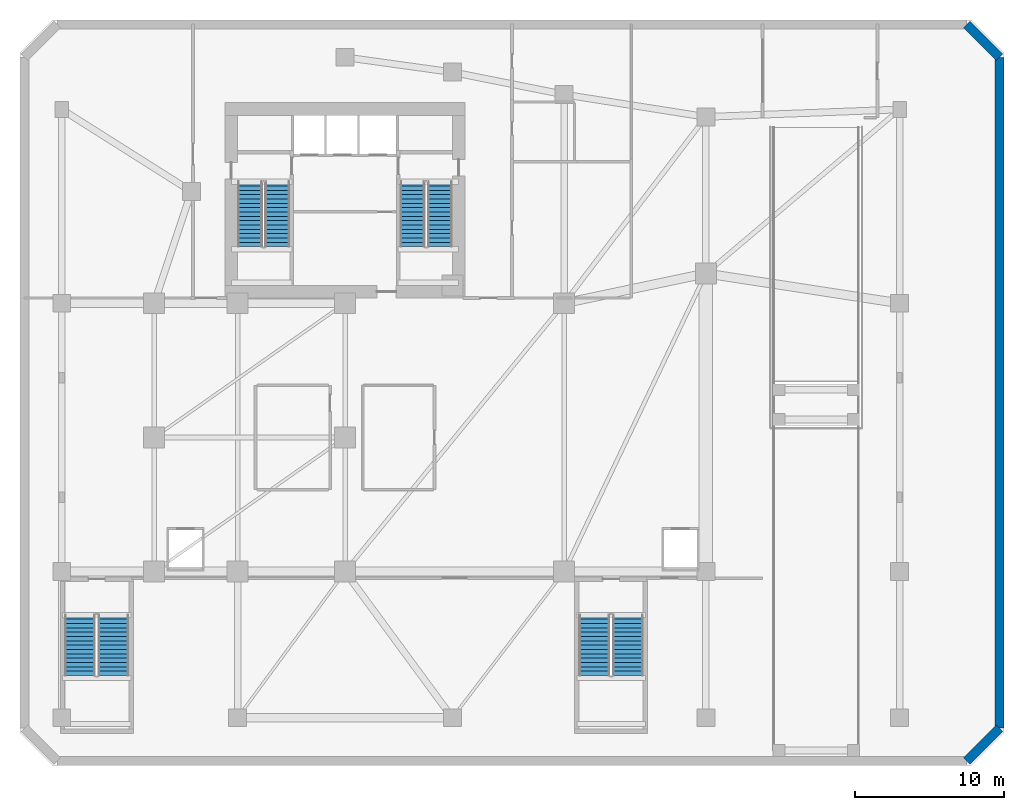
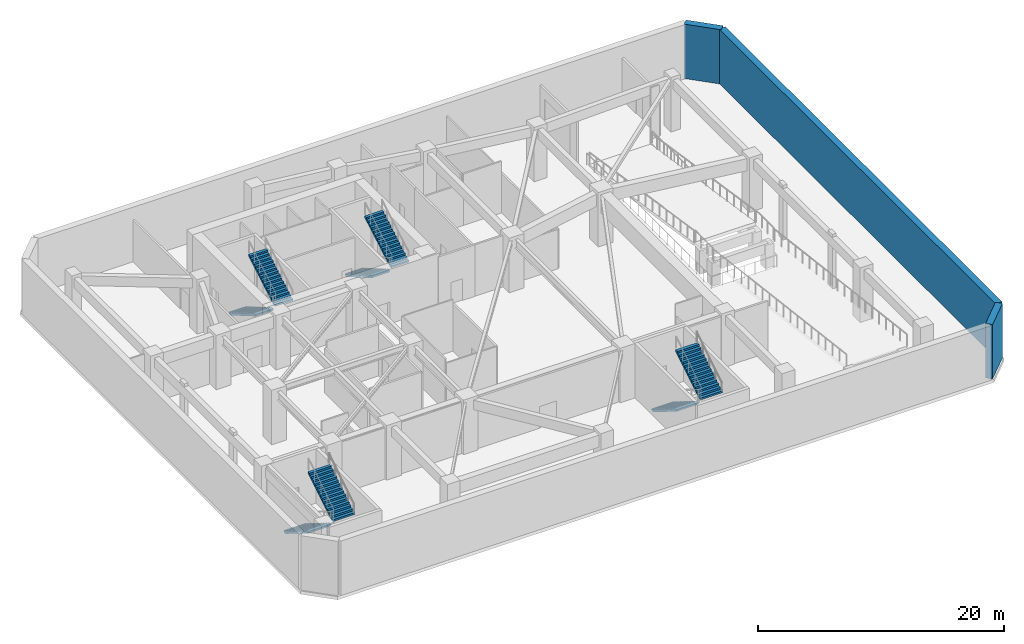
# One storey, part 5 of 9: 8 stair flights, 3 walls, 4 elements without a shape of their own.
"""IFC4 building model written with IfcOpenShell, lengths in metres."""

from ifc_helpers import new_model, si_unit, direction, frame, frame_2d, origin, place, context, subcontext, project, spatial, polyline, rectangle, outline, extrude, material, layer, layer_set, type_object, element, aggregate, save


model = new_model("IFC4")

# Units and contexts
model_context = context("Model", 3, precision=1e-05, world=origin(), true_north=direction((0.0, 1.0)))
body_context = subcontext(model_context, "Body", "Model", "MODEL_VIEW")
ifc_project = project(units=[si_unit("LENGTHUNIT", "METRE"), si_unit("AREAUNIT", "SQUARE_METRE"), si_unit("VOLUMEUNIT", "CUBIC_METRE"), si_unit("PLANEANGLEUNIT", "RADIAN"), si_unit("MASSUNIT", "GRAM", prefix="KILO")], contexts=[model_context])

# Site, building, storey
site_placement = place(None, origin())
site = spatial("IfcSite", under=ifc_project, at=site_placement, CompositionType="ELEMENT")
building_placement = place(site_placement, origin())
building = spatial("IfcBuilding", under=site, at=building_placement, Name="Calvemar Wedge Station Tower", CompositionType="ELEMENT")
storey_placement = place(building_placement, frame((0.0, 0.0, -5.39990234375)))
storey = spatial("IfcBuildingStorey", under=building, at=storey_placement, Name="B01", CompositionType="ELEMENT", Elevation=-5.39990234375)

# Walls
ifc_material_1 = material(Name="Concrete C50", Category="concrete")
ifc_layer = layer(ifc_material_1, 0.60009765625)
ifc_layer_set = layer_set([ifc_layer], Name="Concrete C50")
wall_type = type_object("IfcWallType", Name="SW-CORE-RET-600", PredefinedType="SHEAR", material=ifc_layer_set)
wall_1_placement = place(storey_placement, frame((65.5, 2.300048828125, 0.0), z_axis=(0.0, 0.0, 1.0), x_axis=(0.707106781187, 0.707106781187, 0.0)))
element("IfcWall", 1, at=wall_1_placement, inside=storey, type_object=wall_type, Name="Basement B01 Diaphragm Retaining Wall 2", PredefinedType="SHEAR", context=body_context, shape_type="SweptSolid", body=[
    extrude(rectangle(XDim=3.111083984375, YDim=0.60009765625, at=frame_2d((1.5556640625, 0.0))), origin(), (0.0, 0.0, 1.0), 5.39990234375),
])
wall_2_placement = place(storey_placement, frame((67.699951171875, 4.5, 0.0), z_axis=(0.0, 0.0, 1.0), x_axis=(0.0, 1.0, 0.0)))
element("IfcWall", 2, at=wall_2_placement, inside=storey, type_object=wall_type, Name="Basement B01 Diaphragm Retaining Wall 3", PredefinedType="SHEAR", context=body_context, shape_type="SweptSolid", body=[
    extrude(rectangle(XDim=45.0, YDim=0.60009765625, at=frame_2d((22.5, 0.0))), origin(), (0.0, 0.0, 1.0), 5.39990234375),
])
wall_3_placement = place(storey_placement, frame((67.699951171875, 49.5, 0.0), z_axis=(0.0, 0.0, 1.0), x_axis=(-0.707106781187, 0.707106781187, 0.0)))
element("IfcWall", 3, at=wall_3_placement, inside=storey, type_object=wall_type, Name="Basement B01 Diaphragm Retaining Wall 4", PredefinedType="SHEAR", context=body_context, shape_type="SweptSolid", body=[
    extrude(rectangle(XDim=3.111083984375, YDim=0.60009765625, at=frame_2d((1.5556640625, 0.0))), origin(), (0.0, 0.0, 1.0), 5.39990234375),
])

# Stair, stair flights
ifc_material_2 = material(Name="Concrete C45", Category="concrete")
stair_type_1 = type_object("IfcStairType", Name="ST-TYPE-5400", PredefinedType="HALF_TURN_STAIR", material=ifc_material_2)
stair_1_placement = place(storey_placement, origin())
stair_1 = element("IfcStair", 4, at=stair_1_placement, inside=storey, type_object=stair_type_1, Name="B01 Pressurized Core Exit Stair ST-C1", PredefinedType="HALF_TURN_STAIR")
stair_flight_type_1 = type_object("IfcStairFlightType", Name="STF-TYPE-5400", PredefinedType="STRAIGHT", material=ifc_material_2)
stair_flight_1_placement = place(storey_placement, frame((17.429931640625, 41.14990234375, 0.0), z_axis=(0.0, 0.0, 1.0), x_axis=(0.0, -1.0, 0.0)))
stair_flight_1 = element("IfcStairFlight", 5, at=stair_flight_1_placement, type_object=stair_flight_type_1, Name="ST-C1 flight 1", NumberOfRisers=16, NumberOfTreads=15, PredefinedType="STRAIGHT", RiserHeight=0.16875, TreadLength=0.29, context=body_context, shape_type="SweptSolid", body=[
    extrude(outline(polyline([(0.0, 0.0), (0.0, 0.168701171875), (0.2900390625, 0.168701171875), (0.2900390625, 0.33740234375), (0.580078125, 0.33740234375), (0.580078125, 0.50634765625), (0.8701171875, 0.50634765625), (0.8701171875, 0.675048828125), (1.159912109375, 0.675048828125), (1.159912109375, 0.84375), (1.449951171875, 0.84375), (1.449951171875, 1.012451171875), (1.739990234375, 1.012451171875), (1.739990234375, 1.18115234375), (2.030029296875, 1.18115234375), (2.030029296875, 1.35009765625), (2.320068359375, 1.35009765625), (2.320068359375, 1.518798828125), (2.610107421875, 1.518798828125), (2.610107421875, 1.6875), (2.89990234375, 1.6875), (2.89990234375, 1.856201171875), (3.18994140625, 1.856201171875), (3.18994140625, 2.02490234375), (3.47998046875, 2.02490234375), (3.47998046875, 2.19384765625), (3.77001953125, 2.19384765625), (3.77001953125, 2.362548828125), (4.06005859375, 2.362548828125), (4.06005859375, 2.53125), (4.35009765625, 2.53125), (4.35009765625, 2.699951171875), (4.35009765625, 2.35791015625), (0.298095703125, 0.0), (0.0, 0.0)])), frame((0.0, 0.830078125, 0.0), z_axis=(0.0, -1.0, 0.0), x_axis=(1.0, 0.0, 0.0)), (0.0, 0.0, 1.0), 1.659912109375),
])
stair_flight_2_placement = place(storey_placement, frame((19.27001953125, 36.800048828125, 2.699951171875), z_axis=(0.0, 0.0, 1.0), x_axis=(0.0, 1.0, 0.0)))
stair_flight_2 = element("IfcStairFlight", 6, at=stair_flight_2_placement, type_object=stair_flight_type_1, Name="ST-C1 flight 2", NumberOfRisers=16, NumberOfTreads=15, PredefinedType="STRAIGHT", RiserHeight=0.16875, TreadLength=0.29, context=body_context, shape_type="SweptSolid", body=[
    extrude(outline(polyline([(0.0, 0.0), (0.0, 0.168701171875), (0.2900390625, 0.168701171875), (0.2900390625, 0.33740234375), (0.580078125, 0.33740234375), (0.580078125, 0.50634765625), (0.8701171875, 0.50634765625), (0.8701171875, 0.675048828125), (1.159912109375, 0.675048828125), (1.159912109375, 0.84375), (1.449951171875, 0.84375), (1.449951171875, 1.012451171875), (1.739990234375, 1.012451171875), (1.739990234375, 1.18115234375), (2.030029296875, 1.18115234375), (2.030029296875, 1.35009765625), (2.320068359375, 1.35009765625), (2.320068359375, 1.518798828125), (2.610107421875, 1.518798828125), (2.610107421875, 1.6875), (2.89990234375, 1.6875), (2.89990234375, 1.856201171875), (3.18994140625, 1.856201171875), (3.18994140625, 2.02490234375), (3.47998046875, 2.02490234375), (3.47998046875, 2.19384765625), (3.77001953125, 2.19384765625), (3.77001953125, 2.362548828125), (4.06005859375, 2.362548828125), (4.06005859375, 2.53125), (4.35009765625, 2.53125), (4.35009765625, 2.699951171875), (4.35009765625, 2.35791015625), (0.298095703125, 0.0), (0.0, 0.0)])), frame((0.0, 0.830078125, 0.0), z_axis=(0.0, -1.0, 0.0), x_axis=(1.0, 0.0, 0.0)), (0.0, 0.0, 1.0), 1.659912109375),
])
aggregate(stair_1, [stair_flight_1, stair_flight_2])

stair_2_placement = place(storey_placement, origin())
stair_2 = element("IfcStair", 7, at=stair_2_placement, inside=storey, type_object=stair_type_1, Name="B01 Pressurized Core Exit Stair ST-C2", PredefinedType="HALF_TURN_STAIR")
stair_flight_3_placement = place(storey_placement, frame((28.330078125, 41.14990234375, 0.0), z_axis=(0.0, 0.0, 1.0), x_axis=(0.0, -1.0, 0.0)))
stair_flight_3 = element("IfcStairFlight", 8, at=stair_flight_3_placement, type_object=stair_flight_type_1, Name="ST-C2 flight 1", NumberOfRisers=16, NumberOfTreads=15, PredefinedType="STRAIGHT", RiserHeight=0.16875, TreadLength=0.29, context=body_context, shape_type="SweptSolid", body=[
    extrude(outline(polyline([(0.0, 0.0), (0.0, 0.168701171875), (0.2900390625, 0.168701171875), (0.2900390625, 0.33740234375), (0.580078125, 0.33740234375), (0.580078125, 0.50634765625), (0.8701171875, 0.50634765625), (0.8701171875, 0.675048828125), (1.159912109375, 0.675048828125), (1.159912109375, 0.84375), (1.449951171875, 0.84375), (1.449951171875, 1.012451171875), (1.739990234375, 1.012451171875), (1.739990234375, 1.18115234375), (2.030029296875, 1.18115234375), (2.030029296875, 1.35009765625), (2.320068359375, 1.35009765625), (2.320068359375, 1.518798828125), (2.610107421875, 1.518798828125), (2.610107421875, 1.6875), (2.89990234375, 1.6875), (2.89990234375, 1.856201171875), (3.18994140625, 1.856201171875), (3.18994140625, 2.02490234375), (3.47998046875, 2.02490234375), (3.47998046875, 2.19384765625), (3.77001953125, 2.19384765625), (3.77001953125, 2.362548828125), (4.06005859375, 2.362548828125), (4.06005859375, 2.53125), (4.35009765625, 2.53125), (4.35009765625, 2.699951171875), (4.35009765625, 2.35791015625), (0.298095703125, 0.0), (0.0, 0.0)])), frame((0.0, 0.830078125, 0.0), z_axis=(0.0, -1.0, 0.0), x_axis=(1.0, 0.0, 0.0)), (0.0, 0.0, 1.0), 1.659912109375),
])
stair_flight_4_placement = place(storey_placement, frame((30.169921875, 36.800048828125, 2.699951171875), z_axis=(0.0, 0.0, 1.0), x_axis=(0.0, 1.0, 0.0)))
stair_flight_4 = element("IfcStairFlight", 9, at=stair_flight_4_placement, type_object=stair_flight_type_1, Name="ST-C2 flight 2", NumberOfRisers=16, NumberOfTreads=15, PredefinedType="STRAIGHT", RiserHeight=0.16875, TreadLength=0.29, context=body_context, shape_type="SweptSolid", body=[
    extrude(outline(polyline([(0.0, 0.0), (0.0, 0.168701171875), (0.2900390625, 0.168701171875), (0.2900390625, 0.33740234375), (0.580078125, 0.33740234375), (0.580078125, 0.50634765625), (0.8701171875, 0.50634765625), (0.8701171875, 0.675048828125), (1.159912109375, 0.675048828125), (1.159912109375, 0.84375), (1.449951171875, 0.84375), (1.449951171875, 1.012451171875), (1.739990234375, 1.012451171875), (1.739990234375, 1.18115234375), (2.030029296875, 1.18115234375), (2.030029296875, 1.35009765625), (2.320068359375, 1.35009765625), (2.320068359375, 1.518798828125), (2.610107421875, 1.518798828125), (2.610107421875, 1.6875), (2.89990234375, 1.6875), (2.89990234375, 1.856201171875), (3.18994140625, 1.856201171875), (3.18994140625, 2.02490234375), (3.47998046875, 2.02490234375), (3.47998046875, 2.19384765625), (3.77001953125, 2.19384765625), (3.77001953125, 2.362548828125), (4.06005859375, 2.362548828125), (4.06005859375, 2.53125), (4.35009765625, 2.53125), (4.35009765625, 2.699951171875), (4.35009765625, 2.35791015625), (0.298095703125, 0.0), (0.0, 0.0)])), frame((0.0, 0.830078125, 0.0), z_axis=(0.0, -1.0, 0.0), x_axis=(1.0, 0.0, 0.0)), (0.0, 0.0, 1.0), 1.659912109375),
])
aggregate(stair_2, [stair_flight_3, stair_flight_4])

stair_type_2 = type_object("IfcStairType", Name="ST-TYPE-POD5400", PredefinedType="HALF_TURN_STAIR", material=ifc_material_2)
stair_3_placement = place(storey_placement, origin())
stair_3 = element("IfcStair", 10, at=stair_3_placement, inside=storey, type_object=stair_type_2, Name="B01 Station Podium Exit Stair ST-P1", PredefinedType="HALF_TURN_STAIR")
stair_flight_type_2 = type_object("IfcStairFlightType", Name="STF-TYPE-POD5400", PredefinedType="STRAIGHT", material=ifc_material_2)
stair_flight_5_placement = place(storey_placement, frame((6.02490234375, 12.10009765625, 0.0), z_axis=(0.0, 0.0, 1.0), x_axis=(0.0, -1.0, 0.0)))
stair_flight_5 = element("IfcStairFlight", 11, at=stair_flight_5_placement, type_object=stair_flight_type_2, Name="ST-P1 flight 1", NumberOfRisers=15, NumberOfTreads=14, PredefinedType="STRAIGHT", RiserHeight=0.18, TreadLength=0.29, context=body_context, shape_type="SweptSolid", body=[
    extrude(outline(polyline([(0.0, 0.0), (0.0, 0.179931640625), (0.2900390625, 0.179931640625), (0.2900390625, 0.360107421875), (0.580078125, 0.360107421875), (0.580078125, 0.5400390625), (0.8701171875, 0.5400390625), (0.8701171875, 0.719970703125), (1.159912109375, 0.719970703125), (1.159912109375, 0.89990234375), (1.449951171875, 0.89990234375), (1.449951171875, 1.080078125), (1.739990234375, 1.080078125), (1.739990234375, 1.260009765625), (2.030029296875, 1.260009765625), (2.030029296875, 1.43994140625), (2.320068359375, 1.43994140625), (2.320068359375, 1.6201171875), (2.610107421875, 1.6201171875), (2.610107421875, 1.800048828125), (2.89990234375, 1.800048828125), (2.89990234375, 1.97998046875), (3.18994140625, 1.97998046875), (3.18994140625, 2.159912109375), (3.47998046875, 2.159912109375), (3.47998046875, 2.340087890625), (3.77001953125, 2.340087890625), (3.77001953125, 2.52001953125), (4.06005859375, 2.52001953125), (4.06005859375, 2.699951171875), (4.06005859375, 2.343505859375), (0.2841796875, 0.0), (0.0, 0.0)])), frame((0.0, 1.02490234375, 0.0), z_axis=(0.0, -1.0, 0.0), x_axis=(1.0, 0.0, 0.0)), (0.0, 0.0, 1.0), 2.050048828125),
])
stair_flight_6_placement = place(storey_placement, frame((8.27490234375, 8.0400390625, 2.699951171875), z_axis=(0.0, 0.0, 1.0), x_axis=(0.0, 1.0, 0.0)))
stair_flight_6 = element("IfcStairFlight", 12, at=stair_flight_6_placement, type_object=stair_flight_type_2, Name="ST-P1 flight 2", NumberOfRisers=15, NumberOfTreads=14, PredefinedType="STRAIGHT", RiserHeight=0.18, TreadLength=0.29, context=body_context, shape_type="SweptSolid", body=[
    extrude(outline(polyline([(0.0, 0.0), (0.0, 0.179931640625), (0.2900390625, 0.179931640625), (0.2900390625, 0.360107421875), (0.580078125, 0.360107421875), (0.580078125, 0.5400390625), (0.8701171875, 0.5400390625), (0.8701171875, 0.719970703125), (1.159912109375, 0.719970703125), (1.159912109375, 0.89990234375), (1.449951171875, 0.89990234375), (1.449951171875, 1.080078125), (1.739990234375, 1.080078125), (1.739990234375, 1.260009765625), (2.030029296875, 1.260009765625), (2.030029296875, 1.43994140625), (2.320068359375, 1.43994140625), (2.320068359375, 1.6201171875), (2.610107421875, 1.6201171875), (2.610107421875, 1.800048828125), (2.89990234375, 1.800048828125), (2.89990234375, 1.97998046875), (3.18994140625, 1.97998046875), (3.18994140625, 2.159912109375), (3.47998046875, 2.159912109375), (3.47998046875, 2.340087890625), (3.77001953125, 2.340087890625), (3.77001953125, 2.52001953125), (4.06005859375, 2.52001953125), (4.06005859375, 2.699951171875), (4.06005859375, 2.343505859375), (0.2841796875, 0.0), (0.0, 0.0)])), frame((0.0, 1.02490234375, 0.0), z_axis=(0.0, -1.0, 0.0), x_axis=(1.0, 0.0, 0.0)), (0.0, 0.0, 1.0), 2.050048828125),
])
aggregate(stair_3, [stair_flight_5, stair_flight_6])

stair_4_placement = place(storey_placement, origin())
stair_4 = element("IfcStair", 13, at=stair_4_placement, inside=storey, type_object=stair_type_2, Name="B01 Station Podium Exit Stair ST-P2", PredefinedType="HALF_TURN_STAIR")
stair_flight_7_placement = place(storey_placement, frame((40.52490234375, 12.10009765625, 0.0), z_axis=(0.0, 0.0, 1.0), x_axis=(0.0, -1.0, 0.0)))
stair_flight_7 = element("IfcStairFlight", 14, at=stair_flight_7_placement, type_object=stair_flight_type_2, Name="ST-P2 flight 1", NumberOfRisers=15, NumberOfTreads=14, PredefinedType="STRAIGHT", RiserHeight=0.18, TreadLength=0.29, context=body_context, shape_type="SweptSolid", body=[
    extrude(outline(polyline([(0.0, 0.0), (0.0, 0.179931640625), (0.2900390625, 0.179931640625), (0.2900390625, 0.360107421875), (0.580078125, 0.360107421875), (0.580078125, 0.5400390625), (0.8701171875, 0.5400390625), (0.8701171875, 0.719970703125), (1.159912109375, 0.719970703125), (1.159912109375, 0.89990234375), (1.449951171875, 0.89990234375), (1.449951171875, 1.080078125), (1.739990234375, 1.080078125), (1.739990234375, 1.260009765625), (2.030029296875, 1.260009765625), (2.030029296875, 1.43994140625), (2.320068359375, 1.43994140625), (2.320068359375, 1.6201171875), (2.610107421875, 1.6201171875), (2.610107421875, 1.800048828125), (2.89990234375, 1.800048828125), (2.89990234375, 1.97998046875), (3.18994140625, 1.97998046875), (3.18994140625, 2.159912109375), (3.47998046875, 2.159912109375), (3.47998046875, 2.340087890625), (3.77001953125, 2.340087890625), (3.77001953125, 2.52001953125), (4.06005859375, 2.52001953125), (4.06005859375, 2.699951171875), (4.06005859375, 2.343505859375), (0.2841796875, 0.0), (0.0, 0.0)])), frame((0.0, 1.02490234375, 0.0), z_axis=(0.0, -1.0, 0.0), x_axis=(1.0, 0.0, 0.0)), (0.0, 0.0, 1.0), 2.050048828125),
])
stair_flight_8_placement = place(storey_placement, frame((42.77490234375, 8.0400390625, 2.699951171875), z_axis=(0.0, 0.0, 1.0), x_axis=(0.0, 1.0, 0.0)))
stair_flight_8 = element("IfcStairFlight", 15, at=stair_flight_8_placement, type_object=stair_flight_type_2, Name="ST-P2 flight 2", NumberOfRisers=15, NumberOfTreads=14, PredefinedType="STRAIGHT", RiserHeight=0.18, TreadLength=0.29, context=body_context, shape_type="SweptSolid", body=[
    extrude(outline(polyline([(0.0, 0.0), (0.0, 0.179931640625), (0.2900390625, 0.179931640625), (0.2900390625, 0.360107421875), (0.580078125, 0.360107421875), (0.580078125, 0.5400390625), (0.8701171875, 0.5400390625), (0.8701171875, 0.719970703125), (1.159912109375, 0.719970703125), (1.159912109375, 0.89990234375), (1.449951171875, 0.89990234375), (1.449951171875, 1.080078125), (1.739990234375, 1.080078125), (1.739990234375, 1.260009765625), (2.030029296875, 1.260009765625), (2.030029296875, 1.43994140625), (2.320068359375, 1.43994140625), (2.320068359375, 1.6201171875), (2.610107421875, 1.6201171875), (2.610107421875, 1.800048828125), (2.89990234375, 1.800048828125), (2.89990234375, 1.97998046875), (3.18994140625, 1.97998046875), (3.18994140625, 2.159912109375), (3.47998046875, 2.159912109375), (3.47998046875, 2.340087890625), (3.77001953125, 2.340087890625), (3.77001953125, 2.52001953125), (4.06005859375, 2.52001953125), (4.06005859375, 2.699951171875), (4.06005859375, 2.343505859375), (0.2841796875, 0.0), (0.0, 0.0)])), frame((0.0, 1.02490234375, 0.0), z_axis=(0.0, -1.0, 0.0), x_axis=(1.0, 0.0, 0.0)), (0.0, 0.0, 1.0), 2.050048828125),
])
aggregate(stair_4, [stair_flight_7, stair_flight_8])

save(model, "model.ifc")
